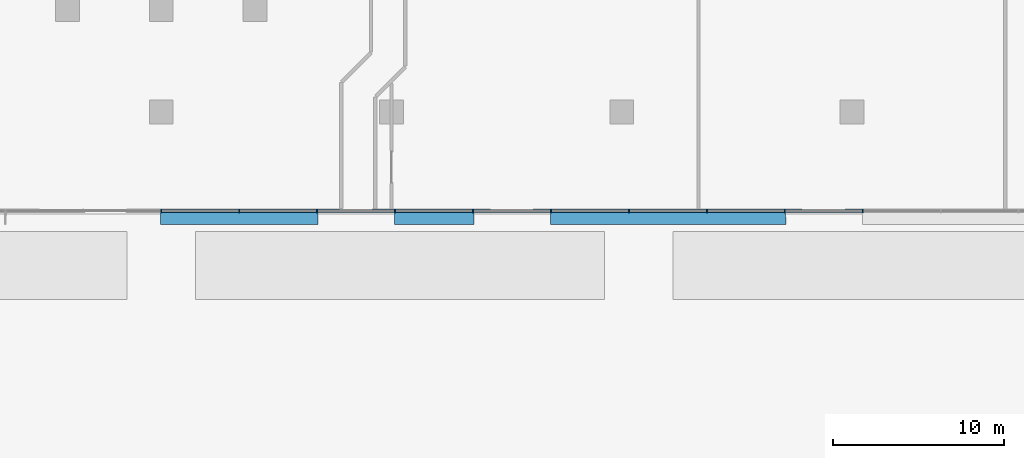
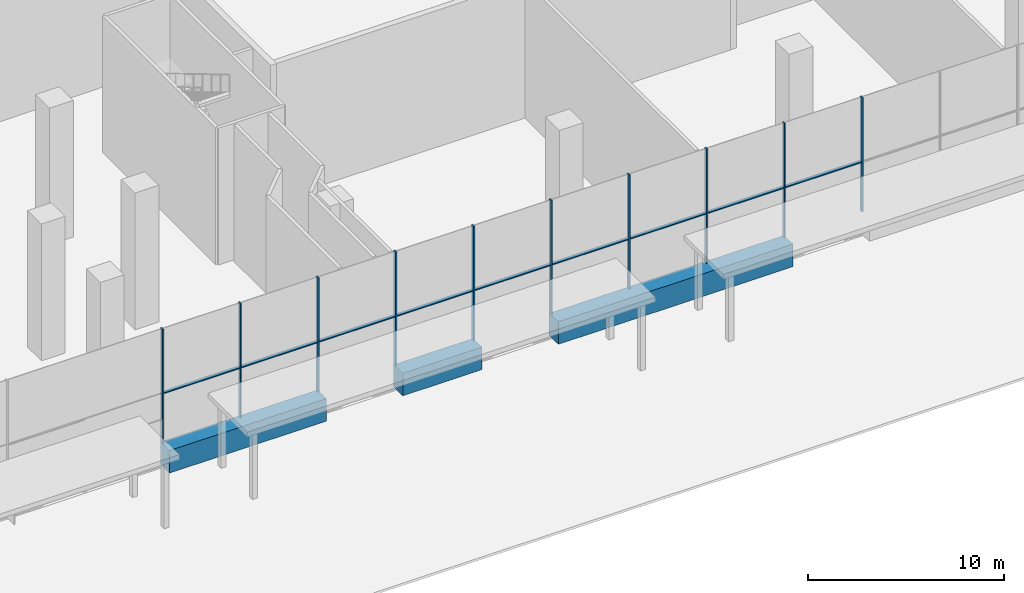
# One storey, part 5 of 54: 22 members, 1 element without a shape of its own.
"""IFC4 building model written with IfcOpenShell, lengths in metres."""

from ifc_helpers import new_model, si_unit, direction, frame, origin, origin_2d, place, context, subcontext, project, spatial, polyline, rectangle, outline, extrude, material, layer, layer_set, material_profile, profile_set, type_object, element, aggregate, save


model = new_model("IFC4")

# Units and contexts
model_context = context("Model", 3, precision=1e-05, world=origin(), true_north=direction((0.0, 1.0)))
body_context = subcontext(model_context, "Body", "Model", "MODEL_VIEW")
ifc_project = project(units=[si_unit("LENGTHUNIT", "METRE"), si_unit("AREAUNIT", "SQUARE_METRE"), si_unit("VOLUMEUNIT", "CUBIC_METRE"), si_unit("PLANEANGLEUNIT", "RADIAN"), si_unit("MASSUNIT", "GRAM", prefix="KILO")], contexts=[model_context])

# Site, building, storey
site_placement = place(None, origin())
site = spatial("IfcSite", under=ifc_project, at=site_placement, CompositionType="ELEMENT")
building_placement = place(site_placement, origin())
building = spatial("IfcBuilding", under=site, at=building_placement, Name="Tamarind Cross Interchange Tower", CompositionType="ELEMENT")
storey_placement = place(building_placement, origin())
storey = spatial("IfcBuildingStorey", under=building, at=storey_placement, Name="L00", CompositionType="ELEMENT", Elevation=0.0)

# Curtain wall, members
ifc_material_1 = material(Name="Aluminium 6063-T6", Category="aluminium")
ifc_layer = layer(ifc_material_1, 0.199951171875)
ifc_layer_set = layer_set([ifc_layer], Name="Aluminium 6063-T6")
curtain_wall_type = type_object("IfcCurtainWallType", Name="Podium shopfront and station curtain wall", PredefinedType="NOTDEFINED", material=ifc_layer_set)
curtain_wall_placement = place(storey_placement, origin())
curtain_wall = element("IfcCurtainWall", 1, at=curtain_wall_placement, inside=storey, type_object=curtain_wall_type, Name="CWS-L00-06", PredefinedType="NOTDEFINED")
ifc_material_2 = material(Name="Aluminium and insulated spandrel panel", Category="aluminium")
member_type_1 = type_object("IfcMemberType", Name="Floor-edge blade transom", PredefinedType="USERDEFINED", material=ifc_material_2)
member_1_placement = place(storey_placement, origin())
member_1 = element("IfcMember", 2, at=member_1_placement, type_object=member_type_1, Name="CWT-L00-06-4", ObjectType="TRANSOM", PredefinedType="USERDEFINED", context=body_context, shape_type="SweptSolid", body=[
    extrude(outline(polyline([(-0.0400390625, -59.699951171875), (9.179443359375, -59.699951171875), (9.189697265625, -60.60009765625), (-0.0400390625, -60.60009765625), (-0.0400390625, -59.699951171875)])), origin(), (0.0, 0.0, 1.0), 1.39990234375),
])
member_2_placement = place(storey_placement, origin())
member_2 = element("IfcMember", 3, at=member_2_placement, type_object=member_type_1, Name="CWT-L00-06-5", ObjectType="TRANSOM", PredefinedType="USERDEFINED", context=body_context, shape_type="SweptSolid", body=[
    extrude(outline(polyline([(13.669189453125, -59.699951171875), (18.31884765625, -59.699951171875), (18.33935546875, -60.60009765625), (13.684326171875, -60.60009765625), (13.669189453125, -59.699951171875)])), origin(), (0.0, 0.0, 1.0), 1.39990234375),
])
member_3_placement = place(storey_placement, origin())
member_3 = element("IfcMember", 4, at=member_3_placement, type_object=member_type_1, Name="CWT-L00-06-6", ObjectType="TRANSOM", PredefinedType="USERDEFINED", context=body_context, shape_type="SweptSolid", body=[
    extrude(outline(polyline([(22.808837890625, -59.699951171875), (36.597900390625, -59.699951171875), (36.638427734375, -60.60009765625), (22.833984375, -60.60009765625), (22.808837890625, -59.699951171875)])), origin(), (0.0, 0.0, 1.0), 1.39990234375),
])
ifc_material_profile = material_profile(ifc_material_1, rectangle(XDim=0.080078125, YDim=0.199951171875, at=origin_2d()), Name="Mullion CW3")
ifc_profile_set = profile_set([ifc_material_profile], Name="Aluminium 6063-T6")
member_type_2 = type_object("IfcMemberType", Name="Mullion CW3", PredefinedType="MULLION", material=ifc_profile_set)
member_4_placement = place(storey_placement, frame((0.0, -59.800048828125, 1.39990234375), z_axis=(0.0, 0.0, 1.0), x_axis=(1.0, 0.0, 0.0)))
member_4 = element("IfcMember", 5, at=member_4_placement, type_object=member_type_2, Name="CWM-L00-06-14", PredefinedType="MULLION", context=body_context, shape_type="SweptSolid", body=[
    extrude(rectangle(XDim=0.080078125, YDim=0.199951171875, at=origin_2d()), origin(), (0.0, 0.0, 1.0), 7.10009765625),
])
member_5_placement = place(storey_placement, frame((4.5703125, -59.800048828125, 1.39990234375), z_axis=(0.0, 0.0, 1.0), x_axis=(1.0, 0.0, 0.0)))
member_5 = element("IfcMember", 6, at=member_5_placement, type_object=member_type_2, Name="CWM-L00-06-15", PredefinedType="MULLION", context=body_context, shape_type="SweptSolid", body=[
    extrude(rectangle(XDim=0.080078125, YDim=0.199951171875, at=origin_2d()), origin(), (0.0, 0.0, 1.0), 7.10009765625),
])
member_6_placement = place(storey_placement, frame((9.140625, -59.800048828125, 1.39990234375), z_axis=(0.0, 0.0, 1.0), x_axis=(1.0, 0.0, 0.0)))
member_6 = element("IfcMember", 7, at=member_6_placement, type_object=member_type_2, Name="CWM-L00-06-16", PredefinedType="MULLION", context=body_context, shape_type="SweptSolid", body=[
    extrude(rectangle(XDim=0.080078125, YDim=0.199951171875, at=origin_2d()), origin(), (0.0, 0.0, 1.0), 7.10009765625),
])
member_7_placement = place(storey_placement, frame((13.7109375, -59.800048828125, 1.39990234375), z_axis=(0.0, 0.0, 1.0), x_axis=(1.0, 0.0, 0.0)))
member_7 = element("IfcMember", 8, at=member_7_placement, type_object=member_type_2, Name="CWM-L00-06-17", PredefinedType="MULLION", context=body_context, shape_type="SweptSolid", body=[
    extrude(rectangle(XDim=0.080078125, YDim=0.199951171875, at=origin_2d()), origin(), (0.0, 0.0, 1.0), 7.10009765625),
])
member_8_placement = place(storey_placement, frame((18.28125, -59.800048828125, 1.39990234375), z_axis=(0.0, 0.0, 1.0), x_axis=(1.0, 0.0, 0.0)))
member_8 = element("IfcMember", 9, at=member_8_placement, type_object=member_type_2, Name="CWM-L00-06-18", PredefinedType="MULLION", context=body_context, shape_type="SweptSolid", body=[
    extrude(rectangle(XDim=0.080078125, YDim=0.199951171875, at=origin_2d()), origin(), (0.0, 0.0, 1.0), 7.10009765625),
])
member_9_placement = place(storey_placement, frame((22.8515625, -59.800048828125, 1.39990234375), z_axis=(0.0, 0.0, 1.0), x_axis=(1.0, 0.0, 0.0)))
member_9 = element("IfcMember", 10, at=member_9_placement, type_object=member_type_2, Name="CWM-L00-06-19", PredefinedType="MULLION", context=body_context, shape_type="SweptSolid", body=[
    extrude(rectangle(XDim=0.080078125, YDim=0.199951171875, at=origin_2d()), origin(), (0.0, 0.0, 1.0), 7.10009765625),
])
member_10_placement = place(storey_placement, frame((27.421875, -59.800048828125, 1.39990234375), z_axis=(0.0, 0.0, 1.0), x_axis=(1.0, 0.0, 0.0)))
member_10 = element("IfcMember", 11, at=member_10_placement, type_object=member_type_2, Name="CWM-L00-06-20", PredefinedType="MULLION", context=body_context, shape_type="SweptSolid", body=[
    extrude(rectangle(XDim=0.080078125, YDim=0.199951171875, at=origin_2d()), origin(), (0.0, 0.0, 1.0), 7.10009765625),
])
member_11_placement = place(storey_placement, frame((31.9921875, -59.800048828125, 1.39990234375), z_axis=(0.0, 0.0, 1.0), x_axis=(1.0, 0.0, 0.0)))
member_11 = element("IfcMember", 12, at=member_11_placement, type_object=member_type_2, Name="CWM-L00-06-21", PredefinedType="MULLION", context=body_context, shape_type="SweptSolid", body=[
    extrude(rectangle(XDim=0.080078125, YDim=0.199951171875, at=origin_2d()), origin(), (0.0, 0.0, 1.0), 7.10009765625),
])
member_12_placement = place(storey_placement, frame((36.5625, -59.800048828125, 1.39990234375), z_axis=(0.0, 0.0, 1.0), x_axis=(1.0, 0.0, 0.0)))
member_12 = element("IfcMember", 13, at=member_12_placement, type_object=member_type_2, Name="CWM-L00-06-22", PredefinedType="MULLION", context=body_context, shape_type="SweptSolid", body=[
    extrude(rectangle(XDim=0.080078125, YDim=0.199951171875, at=origin_2d()), origin(), (0.0, 0.0, 1.0), 7.10009765625),
])
member_13_placement = place(storey_placement, frame((41.1328125, -59.800048828125, 1.39990234375), z_axis=(0.0, 0.0, 1.0), x_axis=(1.0, 0.0, 0.0)))
member_13 = element("IfcMember", 14, at=member_13_placement, type_object=member_type_2, Name="CWM-L00-06-23", PredefinedType="MULLION", context=body_context, shape_type="SweptSolid", body=[
    extrude(rectangle(XDim=0.080078125, YDim=0.199951171875, at=origin_2d()), origin(), (0.0, 0.0, 1.0), 7.10009765625),
])
member_type_3 = type_object("IfcMemberType", Name="Podium intermediate transom", PredefinedType="USERDEFINED", material=ifc_material_1)
member_14_placement = place(storey_placement, frame((0.0, 0.0, 4.469970703125)))
member_14 = element("IfcMember", 15, at=member_14_placement, type_object=member_type_3, Name="CWT-L00-06-I0-14", ObjectType="TRANSOM", PredefinedType="USERDEFINED", context=body_context, shape_type="SweptSolid", body=[
    extrude(outline(polyline([(0.0400390625, -59.699951171875), (4.5302734375, -59.699951171875), (4.5302734375, -59.89990234375), (0.0400390625, -59.89990234375), (0.0400390625, -59.699951171875)])), origin(), (0.0, 0.0, 1.0), 0.06005859375),
])
member_15_placement = place(storey_placement, frame((0.0, 0.0, 4.469970703125)))
member_15 = element("IfcMember", 16, at=member_15_placement, type_object=member_type_3, Name="CWT-L00-06-I0-15", ObjectType="TRANSOM", PredefinedType="USERDEFINED", context=body_context, shape_type="SweptSolid", body=[
    extrude(outline(polyline([(4.6103515625, -59.699951171875), (9.1005859375, -59.699951171875), (9.1005859375, -59.89990234375), (4.6103515625, -59.89990234375), (4.6103515625, -59.699951171875)])), origin(), (0.0, 0.0, 1.0), 0.06005859375),
])
member_16_placement = place(storey_placement, frame((0.0, 0.0, 4.469970703125)))
member_16 = element("IfcMember", 17, at=member_16_placement, type_object=member_type_3, Name="CWT-L00-06-I0-16", ObjectType="TRANSOM", PredefinedType="USERDEFINED", context=body_context, shape_type="SweptSolid", body=[
    extrude(outline(polyline([(9.1806640625, -59.699951171875), (13.6708984375, -59.699951171875), (13.6708984375, -59.89990234375), (9.1806640625, -59.89990234375), (9.1806640625, -59.699951171875)])), origin(), (0.0, 0.0, 1.0), 0.06005859375),
])
member_17_placement = place(storey_placement, frame((0.0, 0.0, 4.469970703125)))
member_17 = element("IfcMember", 18, at=member_17_placement, type_object=member_type_3, Name="CWT-L00-06-I0-17", ObjectType="TRANSOM", PredefinedType="USERDEFINED", context=body_context, shape_type="SweptSolid", body=[
    extrude(outline(polyline([(13.7509765625, -59.699951171875), (18.2412109375, -59.699951171875), (18.2412109375, -59.89990234375), (13.7509765625, -59.89990234375), (13.7509765625, -59.699951171875)])), origin(), (0.0, 0.0, 1.0), 0.06005859375),
])
member_18_placement = place(storey_placement, frame((0.0, 0.0, 4.469970703125)))
member_18 = element("IfcMember", 19, at=member_18_placement, type_object=member_type_3, Name="CWT-L00-06-I0-18", ObjectType="TRANSOM", PredefinedType="USERDEFINED", context=body_context, shape_type="SweptSolid", body=[
    extrude(outline(polyline([(18.3212890625, -59.699951171875), (22.8115234375, -59.699951171875), (22.8115234375, -59.89990234375), (18.3212890625, -59.89990234375), (18.3212890625, -59.699951171875)])), origin(), (0.0, 0.0, 1.0), 0.06005859375),
])
member_19_placement = place(storey_placement, frame((0.0, 0.0, 4.469970703125)))
member_19 = element("IfcMember", 20, at=member_19_placement, type_object=member_type_3, Name="CWT-L00-06-I0-19", ObjectType="TRANSOM", PredefinedType="USERDEFINED", context=body_context, shape_type="SweptSolid", body=[
    extrude(outline(polyline([(22.8916015625, -59.699951171875), (27.3818359375, -59.699951171875), (27.3818359375, -59.89990234375), (22.8916015625, -59.89990234375), (22.8916015625, -59.699951171875)])), origin(), (0.0, 0.0, 1.0), 0.06005859375),
])
member_20_placement = place(storey_placement, frame((0.0, 0.0, 4.469970703125)))
member_20 = element("IfcMember", 21, at=member_20_placement, type_object=member_type_3, Name="CWT-L00-06-I0-20", ObjectType="TRANSOM", PredefinedType="USERDEFINED", context=body_context, shape_type="SweptSolid", body=[
    extrude(outline(polyline([(27.4619140625, -59.699951171875), (31.9521484375, -59.699951171875), (31.9521484375, -59.89990234375), (27.4619140625, -59.89990234375), (27.4619140625, -59.699951171875)])), origin(), (0.0, 0.0, 1.0), 0.06005859375),
])
member_21_placement = place(storey_placement, frame((0.0, 0.0, 4.469970703125)))
member_21 = element("IfcMember", 22, at=member_21_placement, type_object=member_type_3, Name="CWT-L00-06-I0-21", ObjectType="TRANSOM", PredefinedType="USERDEFINED", context=body_context, shape_type="SweptSolid", body=[
    extrude(outline(polyline([(32.0322265625, -59.699951171875), (36.5224609375, -59.699951171875), (36.5224609375, -59.89990234375), (32.0322265625, -59.89990234375), (32.0322265625, -59.699951171875)])), origin(), (0.0, 0.0, 1.0), 0.06005859375),
])
member_22_placement = place(storey_placement, frame((0.0, 0.0, 4.469970703125)))
member_22 = element("IfcMember", 23, at=member_22_placement, type_object=member_type_3, Name="CWT-L00-06-I0-22", ObjectType="TRANSOM", PredefinedType="USERDEFINED", context=body_context, shape_type="SweptSolid", body=[
    extrude(outline(polyline([(36.6025390625, -59.699951171875), (41.0927734375, -59.699951171875), (41.0927734375, -59.89990234375), (36.6025390625, -59.89990234375), (36.6025390625, -59.699951171875)])), origin(), (0.0, 0.0, 1.0), 0.06005859375),
])
aggregate(curtain_wall, [member_4, member_5, member_6, member_7, member_8, member_9, member_10, member_11, member_12, member_13, member_14, member_15, member_16, member_17, member_18, member_19, member_20, member_21, member_22, member_1, member_2, member_3])

save(model, "model.ifc")
